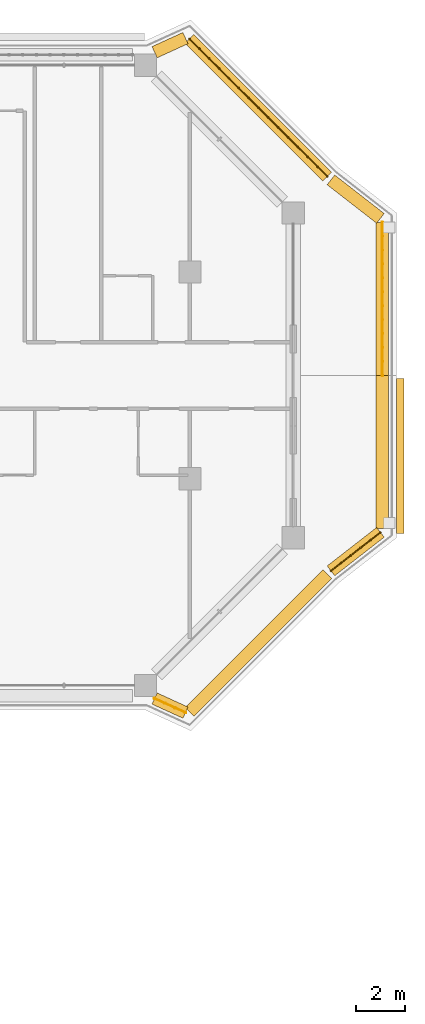
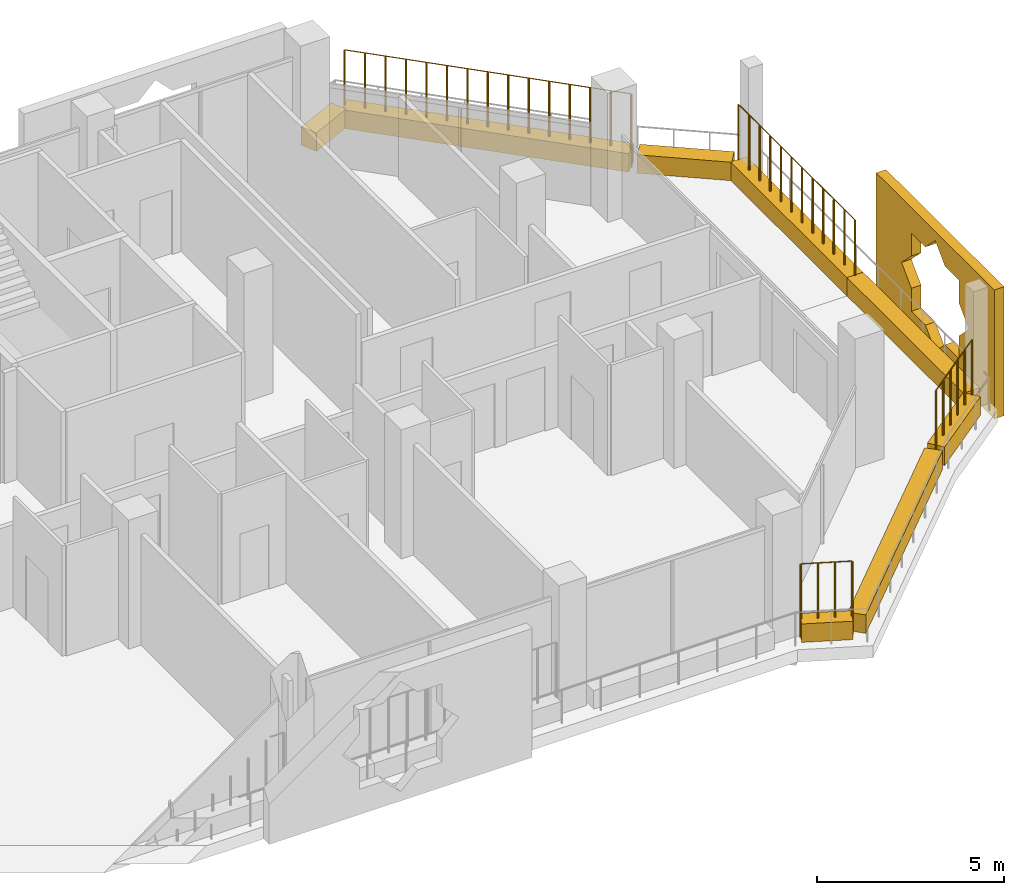
# One storey, part 23 of 23: 9 coverings, 4 railings.
"""IFC4 building model written with IfcOpenShell, lengths in metres."""

from ifc_helpers import new_model, si_unit, direction, frame, origin, origin_2d, place, context, subcontext, project, spatial, polyline, rectangle, circle, outline, extrude, material, material_profile, profile_set, type_object, element, save


model = new_model("IFC4")

# Units and contexts
model_context = context("Model", 3, precision=1e-05, world=origin(), true_north=direction((0.0, 1.0)))
body_context = subcontext(model_context, "Body", "Model", "MODEL_VIEW")
ifc_project = project(units=[si_unit("LENGTHUNIT", "METRE"), si_unit("AREAUNIT", "SQUARE_METRE"), si_unit("VOLUMEUNIT", "CUBIC_METRE"), si_unit("PLANEANGLEUNIT", "RADIAN"), si_unit("MASSUNIT", "GRAM", prefix="KILO")], contexts=[model_context])

# Site, building, storey
site_placement = place(None, origin())
site = spatial("IfcSite", under=ifc_project, at=site_placement, CompositionType="ELEMENT")
building_placement = place(site_placement, origin())
building = spatial("IfcBuilding", under=site, at=building_placement, Name="Kawkab Arch Medical Tower", CompositionType="ELEMENT")
storey_placement = place(building_placement, frame((0.0, 0.0, 247.39990234375)))
storey = spatial("IfcBuildingStorey", under=building, at=storey_placement, Name="L57", CompositionType="ELEMENT", Elevation=247.39990234375)

# Coverings
ifc_material_1 = material(Name="Bronze anodised aluminium mashrabiya panel, eight-point star pattern", Category="aluminium")
ifc_material_profile_1 = material_profile(ifc_material_1, outline(polyline([(-3.14990234375, -2.10009765625), (3.14990234375, -2.10009765625), (3.14990234375, 2.10009765625), (-3.14990234375, 2.10009765625), (-3.14990234375, -2.10009765625)]), holes=[polyline([(1.800048828125, 0.0), (1.272705078125, 0.527099609375), (1.272705078125, 1.272705078125), (0.527099609375, 1.272705078125), (0.0, 1.800048828125), (-0.527099609375, 1.272705078125), (-1.272705078125, 1.272705078125), (-1.272705078125, 0.527099609375), (-1.800048828125, 0.0), (-1.272705078125, -0.527099609375), (-1.272705078125, -1.272705078125), (-0.527099609375, -1.272705078125), (0.0, -1.800048828125), (0.527099609375, -1.272705078125), (1.272705078125, -1.272705078125), (1.272705078125, -0.527099609375), (1.800048828125, 0.0)])]), Name="Mashrabiya panel 6300x4200")
ifc_profile_set_1 = profile_set([ifc_material_profile_1], Name="Bronze anodised aluminium mashrabiya panel, eight-point star pattern")
covering_type_1 = type_object("IfcCoveringType", Name="Mashrabiya panel 6300 x 4200", PredefinedType="USERDEFINED", material=ifc_profile_set_1)
covering_1_placement = place(storey_placement, frame((67.199951171875, -15.877685546875, 1.7001953125), z_axis=(1.0, 0.0, 0.0), x_axis=(0.0, 1.0, 0.0)))
element("IfcCovering", 1, at=covering_1_placement, inside=storey, type_object=covering_type_1, Name="Mashrabiya panel L57.LOG-01-01.9", ObjectType="SCREEN", PredefinedType="USERDEFINED", context=body_context, shape_type="SweptSolid", body=[
    extrude(outline(polyline([(-3.14990234375, -2.10009765625), (3.14990234375, -2.10009765625), (3.14990234375, 2.10009765625), (-3.14990234375, 2.10009765625), (-3.14990234375, -2.10009765625)]), holes=[polyline([(1.800048828125, 0.0), (1.272705078125, 0.527099609375), (1.272705078125, 1.272705078125), (0.527099609375, 1.272705078125), (0.0, 1.800048828125), (-0.527099609375, 1.272705078125), (-1.272705078125, 1.272705078125), (-1.272705078125, 0.527099609375), (-1.800048828125, 0.0), (-1.272705078125, -0.527099609375), (-1.272705078125, -1.272705078125), (-0.527099609375, -1.272705078125), (0.0, -1.800048828125), (0.527099609375, -1.272705078125), (1.272705078125, -1.272705078125), (1.272705078125, -0.527099609375), (1.800048828125, 0.0)])]), origin(), (0.0, 0.0, 1.0), 0.300048828125),
])
ifc_material_2 = material(Name="Planting soil in a precast trough", Category="concrete")
ifc_material_profile_2 = material_profile(ifc_material_2, rectangle(XDim=0.5, YDim=0.60009765625, at=origin_2d()), Name="Trough 500x600")
ifc_profile_set_2 = profile_set([ifc_material_profile_2], Name="Planting soil in a precast trough")
covering_type_2 = type_object("IfcCoveringType", Name="Planter trough 500 x 600", PredefinedType="USERDEFINED", material=ifc_profile_set_2)
covering_2_placement = place(storey_placement, frame((57.366943359375, 0.530029296875, 0.300048828125), z_axis=(0.909831953447, 0.41497688669, 0.0), x_axis=(-0.41497688669, 0.909831953447, 0.0)))
element("IfcCovering", 2, at=covering_2_placement, inside=storey, type_object=covering_type_2, Name="Planter L57.LOG-01-01.24", ObjectType="PLANTER", PredefinedType="USERDEFINED", context=body_context, shape_type="SweptSolid", body=[
    extrude(rectangle(XDim=0.5, YDim=0.60009765625, at=origin_2d()), origin(), (0.0, 0.0, 1.0), 1.37841796875),
])
covering_3_placement = place(storey_placement, frame((58.782958984375, 1.072998046875, 0.300048828125), z_axis=(0.707106781187, -0.707106781187, 0.0), x_axis=(0.707106781187, 0.707106781187, 0.0)))
element("IfcCovering", 3, at=covering_3_placement, inside=storey, type_object=covering_type_2, Name="Planter L57.LOG-01-01.25", ObjectType="PLANTER", PredefinedType="USERDEFINED", context=body_context, shape_type="SweptSolid", body=[
    extrude(rectangle(XDim=0.5, YDim=0.60009765625, at=origin_2d()), origin(), (0.0, 0.0, 1.0), 7.919677734375),
])
covering_4_placement = place(storey_placement, frame((64.531982421875, -4.658935546875, 0.300048828125), z_axis=(0.789274742246, -0.61404021143, 0.0), x_axis=(0.61404021143, 0.789274742246, 0.0)))
element("IfcCovering", 4, at=covering_4_placement, inside=storey, type_object=covering_type_2, Name="Planter L57.LOG-01-01.26", ObjectType="PLANTER", PredefinedType="USERDEFINED", context=body_context, shape_type="SweptSolid", body=[
    extrude(rectangle(XDim=0.5, YDim=0.60009765625, at=origin_2d()), origin(), (0.0, 0.0, 1.0), 2.54541015625),
])
covering_5_placement = place(storey_placement, frame((66.6201171875, -6.384033203125, 0.300048828125), z_axis=(0.0, -1.0, 0.0), x_axis=(1.0, 0.0, 0.0)))
element("IfcCovering", 5, at=covering_5_placement, inside=storey, type_object=covering_type_2, Name="Planter L57.LOG-01-01.27", ObjectType="PLANTER", PredefinedType="USERDEFINED", context=body_context, shape_type="SweptSolid", body=[
    extrude(rectangle(XDim=0.5, YDim=0.60009765625, at=origin_2d()), origin(), (0.0, 0.0, 1.0), 6.216064453125),
])
covering_6_placement = place(storey_placement, frame((66.6201171875, -12.60009765625, 0.300048828125), z_axis=(0.0, -1.0, 0.0), x_axis=(1.0, 0.0, 0.0)))
element("IfcCovering", 6, at=covering_6_placement, inside=storey, type_object=covering_type_2, Name="Planter L57.LOG-01-01.28", ObjectType="PLANTER", PredefinedType="USERDEFINED", context=body_context, shape_type="SweptSolid", body=[
    extrude(rectangle(XDim=0.5, YDim=0.60009765625, at=origin_2d()), origin(), (0.0, 0.0, 1.0), 6.2158203125),
])
covering_7_placement = place(storey_placement, frame((66.541015625, -18.97802734375, 0.300048828125), z_axis=(-0.789274742246, -0.61404021143, 0.0), x_axis=(0.61404021143, -0.789274742246, 0.0)))
element("IfcCovering", 7, at=covering_7_placement, inside=storey, type_object=covering_type_2, Name="Planter L57.LOG-01-01.29", ObjectType="PLANTER", PredefinedType="USERDEFINED", context=body_context, shape_type="SweptSolid", body=[
    extrude(rectangle(XDim=0.5, YDim=0.60009765625, at=origin_2d()), origin(), (0.0, 0.0, 1.0), 2.54541015625),
])
covering_8_placement = place(storey_placement, frame((64.383056640625, -20.673095703125, 0.300048828125), z_axis=(-0.70712219479, -0.707091367247, 0.0), x_axis=(0.707091367247, -0.70712219479, 0.0)))
element("IfcCovering", 8, at=covering_8_placement, inside=storey, type_object=covering_type_2, Name="Planter L57.LOG-01-01.30", ObjectType="PLANTER", PredefinedType="USERDEFINED", context=body_context, shape_type="SweptSolid", body=[
    extrude(rectangle(XDim=0.5, YDim=0.60009765625, at=origin_2d()), origin(), (0.0, 0.0, 1.0), 7.919677734375),
])
covering_9_placement = place(storey_placement, frame((58.62109375, -26.302001953125, 0.300048828125), z_axis=(-0.909831953447, 0.41497688669, 0.0), x_axis=(-0.41497688669, -0.909831953447, 0.0)))
element("IfcCovering", 9, at=covering_9_placement, inside=storey, type_object=covering_type_2, Name="Planter L57.LOG-01-01.31", ObjectType="PLANTER", PredefinedType="USERDEFINED", context=body_context, shape_type="SweptSolid", body=[
    extrude(rectangle(XDim=0.5, YDim=0.60009765625, at=origin_2d()), origin(), (0.0, 0.0, 1.0), 1.37841796875),
])

# Railings
ifc_material_3 = material(Name="Bronze anodised aluminium trellis for climbing plants", Category="aluminium")
railing_type = type_object("IfcRailingType", Name="Planting trellis 2400", PredefinedType="USERDEFINED", material=ifc_material_3)
railing_1_placement = place(storey_placement, frame((58.782958984375, 1.072998046875, 0.0)))
element("IfcRailing", 10, at=railing_1_placement, inside=storey, type_object=railing_type, Name="Planting trellis L57.LOG-01-01.25", ObjectType="TRELLIS", PredefinedType="USERDEFINED", context=body_context, shape_type="SweptSolid", body=[
    extrude(circle(Radius=0.01513671875, at=origin_2d()), frame((0.0, 0.0, 2.384765625), z_axis=(0.707106781187, -0.707106781187, 0.0), x_axis=(0.707106781187, 0.707106781187, 0.0)), (0.0, 0.0, 1.0), 7.919677734375),
    extrude(circle(Radius=0.030029296875, at=origin_2d()), origin(), (0.0, 0.0, 1.0), 2.369873046875),
    extrude(circle(Radius=0.030029296875, at=origin_2d()), frame((0.39990234375, -0.39990234375, 0.0)), (0.0, 0.0, 1.0), 2.369873046875),
    extrude(circle(Radius=0.030029296875, at=origin_2d()), frame((0.800048828125, -0.800048828125, 0.0)), (0.0, 0.0, 1.0), 2.369873046875),
    extrude(circle(Radius=0.030029296875, at=origin_2d()), frame((1.199951171875, -1.199951171875, 0.0)), (0.0, 0.0, 1.0), 2.369873046875),
    extrude(circle(Radius=0.030029296875, at=origin_2d()), frame((1.60009765625, -1.60009765625, 0.0)), (0.0, 0.0, 1.0), 2.369873046875),
    extrude(circle(Radius=0.030029296875, at=origin_2d()), frame((2.0, -2.0, 0.0)), (0.0, 0.0, 1.0), 2.369873046875),
    extrude(circle(Radius=0.030029296875, at=origin_2d()), frame((2.400146484375, -2.400146484375, 0.0)), (0.0, 0.0, 1.0), 2.369873046875),
    extrude(circle(Radius=0.030029296875, at=origin_2d()), frame((2.800048828125, -2.800048828125, 0.0)), (0.0, 0.0, 1.0), 2.369873046875),
    extrude(circle(Radius=0.030029296875, at=origin_2d()), frame((3.199951171875, -3.199951171875, 0.0)), (0.0, 0.0, 1.0), 2.369873046875),
    extrude(circle(Radius=0.030029296875, at=origin_2d()), frame((3.60009765625, -3.60009765625, 0.0)), (0.0, 0.0, 1.0), 2.369873046875),
    extrude(circle(Radius=0.030029296875, at=origin_2d()), frame((4.0, -4.0, 0.0)), (0.0, 0.0, 1.0), 2.369873046875),
    extrude(circle(Radius=0.030029296875, at=origin_2d()), frame((4.400146484375, -4.400146484375, 0.0)), (0.0, 0.0, 1.0), 2.369873046875),
    extrude(circle(Radius=0.030029296875, at=origin_2d()), frame((4.800048828125, -4.800048828125, 0.0)), (0.0, 0.0, 1.0), 2.369873046875),
    extrude(circle(Radius=0.030029296875, at=origin_2d()), frame((5.2001953125, -5.2001953125, 0.0)), (0.0, 0.0, 1.0), 2.369873046875),
    extrude(circle(Radius=0.030029296875, at=origin_2d()), frame((5.60009765625, -5.60009765625, 0.0)), (0.0, 0.0, 1.0), 2.369873046875),
])
railing_2_placement = place(storey_placement, frame((66.6201171875, -6.384033203125, 0.0)))
element("IfcRailing", 11, at=railing_2_placement, inside=storey, type_object=railing_type, Name="Planting trellis L57.LOG-01-01.27", ObjectType="TRELLIS", PredefinedType="USERDEFINED", context=body_context, shape_type="SweptSolid", body=[
    extrude(circle(Radius=0.01513671875, at=origin_2d()), frame((0.0, 0.0, 2.384765625), z_axis=(0.0, -1.0, 0.0), x_axis=(1.0, 0.0, 0.0)), (0.0, 0.0, 1.0), 6.216064453125),
    extrude(circle(Radius=0.030029296875, at=origin_2d()), origin(), (0.0, 0.0, 1.0), 2.369873046875),
    extrude(circle(Radius=0.030029296875, at=origin_2d()), frame((0.0, -0.565185546875, 0.0)), (0.0, 0.0, 1.0), 2.369873046875),
    extrude(circle(Radius=0.030029296875, at=origin_2d()), frame((0.0, -1.130126953125, 0.0)), (0.0, 0.0, 1.0), 2.369873046875),
    extrude(circle(Radius=0.030029296875, at=origin_2d()), frame((0.0, -1.6953125, 0.0)), (0.0, 0.0, 1.0), 2.369873046875),
    extrude(circle(Radius=0.030029296875, at=origin_2d()), frame((0.0, -2.260498046875, 0.0)), (0.0, 0.0, 1.0), 2.369873046875),
    extrude(circle(Radius=0.030029296875, at=origin_2d()), frame((0.0, -2.825439453125, 0.0)), (0.0, 0.0, 1.0), 2.369873046875),
    extrude(circle(Radius=0.030029296875, at=origin_2d()), frame((0.0, -3.390625, 0.0)), (0.0, 0.0, 1.0), 2.369873046875),
    extrude(circle(Radius=0.030029296875, at=origin_2d()), frame((0.0, -3.95556640625, 0.0)), (0.0, 0.0, 1.0), 2.369873046875),
    extrude(circle(Radius=0.030029296875, at=origin_2d()), frame((0.0, -4.520751953125, 0.0)), (0.0, 0.0, 1.0), 2.369873046875),
    extrude(circle(Radius=0.030029296875, at=origin_2d()), frame((0.0, -5.0859375, 0.0)), (0.0, 0.0, 1.0), 2.369873046875),
    extrude(circle(Radius=0.030029296875, at=origin_2d()), frame((0.0, -5.65087890625, 0.0)), (0.0, 0.0, 1.0), 2.369873046875),
    extrude(circle(Radius=0.030029296875, at=origin_2d()), frame((0.0, -6.216064453125, 0.0)), (0.0, 0.0, 1.0), 2.369873046875),
])
railing_3_placement = place(storey_placement, frame((66.541015625, -18.97802734375, 0.0)))
element("IfcRailing", 12, at=railing_3_placement, inside=storey, type_object=railing_type, Name="Planting trellis L57.LOG-01-01.29", ObjectType="TRELLIS", PredefinedType="USERDEFINED", context=body_context, shape_type="SweptSolid", body=[
    extrude(circle(Radius=0.01513671875, at=origin_2d()), frame((0.0, 0.0, 2.384765625), z_axis=(-0.789274742246, -0.61404021143, 0.0), x_axis=(0.61404021143, -0.789274742246, 0.0)), (0.0, 0.0, 1.0), 2.54541015625),
    extrude(circle(Radius=0.030029296875, at=origin_2d()), origin(), (0.0, 0.0, 1.0), 2.369873046875),
    extrude(circle(Radius=0.030029296875, at=origin_2d()), frame((-0.40185546875, -0.3125, 0.0)), (0.0, 0.0, 1.0), 2.369873046875),
    extrude(circle(Radius=0.030029296875, at=origin_2d()), frame((-0.8037109375, -0.625244140625, 0.0)), (0.0, 0.0, 1.0), 2.369873046875),
    extrude(circle(Radius=0.030029296875, at=origin_2d()), frame((-1.205322265625, -0.937744140625, 0.0)), (0.0, 0.0, 1.0), 2.369873046875),
    extrude(circle(Radius=0.030029296875, at=origin_2d()), frame((-1.607177734375, -1.25048828125, 0.0)), (0.0, 0.0, 1.0), 2.369873046875),
    extrude(circle(Radius=0.030029296875, at=origin_2d()), frame((-2.009033203125, -1.56298828125, 0.0)), (0.0, 0.0, 1.0), 2.369873046875),
])
railing_4_placement = place(storey_placement, frame((58.62109375, -26.302001953125, 0.0)))
element("IfcRailing", 13, at=railing_4_placement, inside=storey, type_object=railing_type, Name="Planting trellis L57.LOG-01-01.31", ObjectType="TRELLIS", PredefinedType="USERDEFINED", context=body_context, shape_type="SweptSolid", body=[
    extrude(circle(Radius=0.01513671875, at=origin_2d()), frame((0.0, 0.0, 2.384765625), z_axis=(-0.909831953447, 0.41497688669, 0.0), x_axis=(-0.41497688669, -0.909831953447, 0.0)), (0.0, 0.0, 1.0), 1.37841796875),
    extrude(circle(Radius=0.030029296875, at=origin_2d()), origin(), (0.0, 0.0, 1.0), 2.369873046875),
    extrude(circle(Radius=0.030029296875, at=origin_2d()), frame((-0.41796875, 0.190673828125, 0.0)), (0.0, 0.0, 1.0), 2.369873046875),
    extrude(circle(Radius=0.030029296875, at=origin_2d()), frame((-0.836181640625, 0.38134765625, 0.0)), (0.0, 0.0, 1.0), 2.369873046875),
    extrude(circle(Radius=0.030029296875, at=origin_2d()), frame((-1.254150390625, 0.572021484375, 0.0)), (0.0, 0.0, 1.0), 2.369873046875),
])

save(model, "model.ifc")
